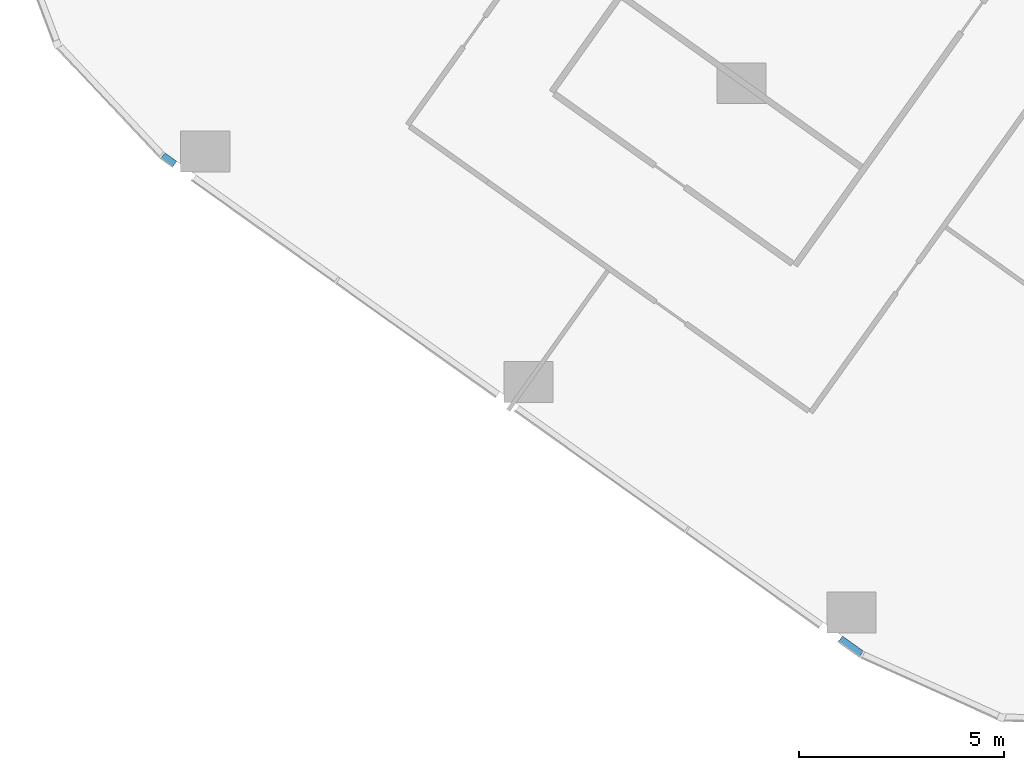
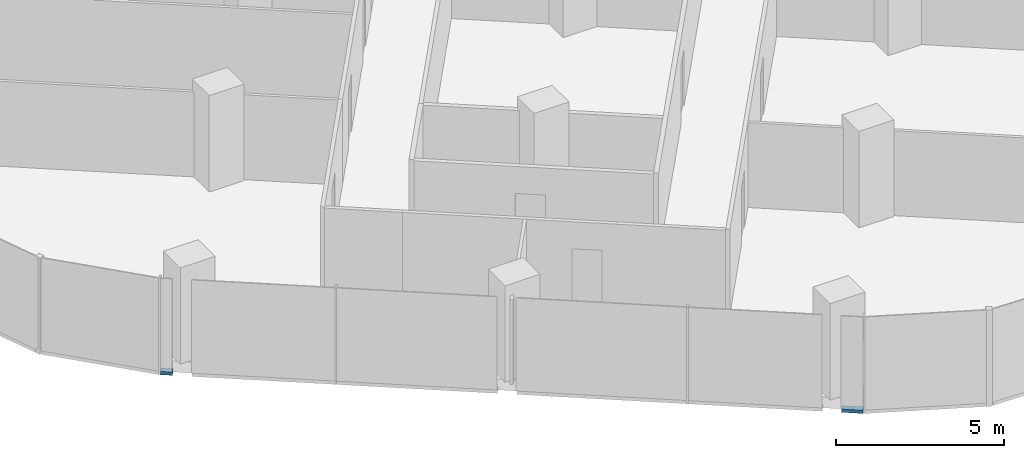
# One storey, part 14 of 31: 2 members, 1 element without a shape of its own.
"""IFC4 building model written with IfcOpenShell, lengths in metres."""

from ifc_helpers import new_model, si_unit, direction, frame, origin, origin_2d, place, context, subcontext, project, spatial, rectangle, extrude, material, material_profile, profile_set, type_object, element, aggregate, save


model = new_model("IFC4")

# Units and contexts
model_context = context("Model", 3, precision=1e-05, world=origin(), true_north=direction((0.0, 1.0)))
body_context = subcontext(model_context, "Body", "Model", "MODEL_VIEW")
ifc_project = project(units=[si_unit("LENGTHUNIT", "METRE"), si_unit("AREAUNIT", "SQUARE_METRE"), si_unit("VOLUMEUNIT", "CUBIC_METRE"), si_unit("PLANEANGLEUNIT", "RADIAN"), si_unit("MASSUNIT", "GRAM", prefix="KILO")], contexts=[model_context])

# Site, building, storey
site_placement = place(None, origin())
site = spatial("IfcSite", under=ifc_project, at=site_placement, CompositionType="ELEMENT")
building_placement = place(site_placement, origin())
building = spatial("IfcBuilding", under=site, at=building_placement, Name="Orlundy Tower", CompositionType="ELEMENT")
storey_placement = place(building_placement, frame((0.0, 0.0, 94.699951171875)))
storey = spatial("IfcBuildingStorey", under=building, at=storey_placement, Name="L23", CompositionType="ELEMENT", Elevation=94.699951171875)

# Curtain wall, members
ifc_material_1 = material(Name="Aluminium bronze anodised", Category="aluminium")
curtain_wall_type = type_object("IfcCurtainWallType", Name="CW1 wall", PredefinedType="NOTDEFINED", material=ifc_material_1)
curtain_wall_placement = place(storey_placement, origin())
curtain_wall = element("IfcCurtainWall", 1, at=curtain_wall_placement, inside=storey, type_object=curtain_wall_type, Name="CW1 run 023", PredefinedType="NOTDEFINED")
ifc_material_2 = material(Name="Aluminium bronze anodised", Category="aluminium")
ifc_material_profile = material_profile(ifc_material_2, rectangle(XDim=0.179931640625, YDim=0.1201171875, at=origin_2d()), Name="CW1 transom 180x120")
ifc_profile_set = profile_set([ifc_material_profile], Name="Aluminium bronze anodised")
member_type = type_object("IfcMemberType", Name="CW1 transom 180x120", PredefinedType="USERDEFINED", material=ifc_profile_set)
member_1_placement = place(storey_placement, frame((-26.6494140625, -55.414794921875, -0.33984375), z_axis=(-0.814281471373, 0.580470227813, 0.0), x_axis=(-0.580470227813, -0.814281471373, 0.0)))
member_1 = element("IfcMember", 2, at=member_1_placement, type_object=member_type, Name="CW1 transom", ObjectType="TRANSOM", PredefinedType="USERDEFINED", context=body_context, shape_type="SweptSolid", body=[
    extrude(rectangle(XDim=0.179931640625, YDim=0.1201171875, at=origin_2d()), origin(), (0.0, 0.0, 1.0), 0.6318359375),
])
member_2_placement = place(storey_placement, frame((-43.430908203125, -43.44580078125, -0.33984375), z_axis=(-0.814290728243, 0.580457242092, 0.0), x_axis=(-0.580457242092, -0.814290728243, 0.0)))
member_2 = element("IfcMember", 3, at=member_2_placement, type_object=member_type, Name="CW1 transom", ObjectType="TRANSOM", PredefinedType="USERDEFINED", context=body_context, shape_type="SweptSolid", body=[
    extrude(rectangle(XDim=0.179931640625, YDim=0.1201171875, at=origin_2d()), origin(), (0.0, 0.0, 1.0), 0.35498046875),
])
aggregate(curtain_wall, [member_1, member_2])

save(model, "model.ifc")
